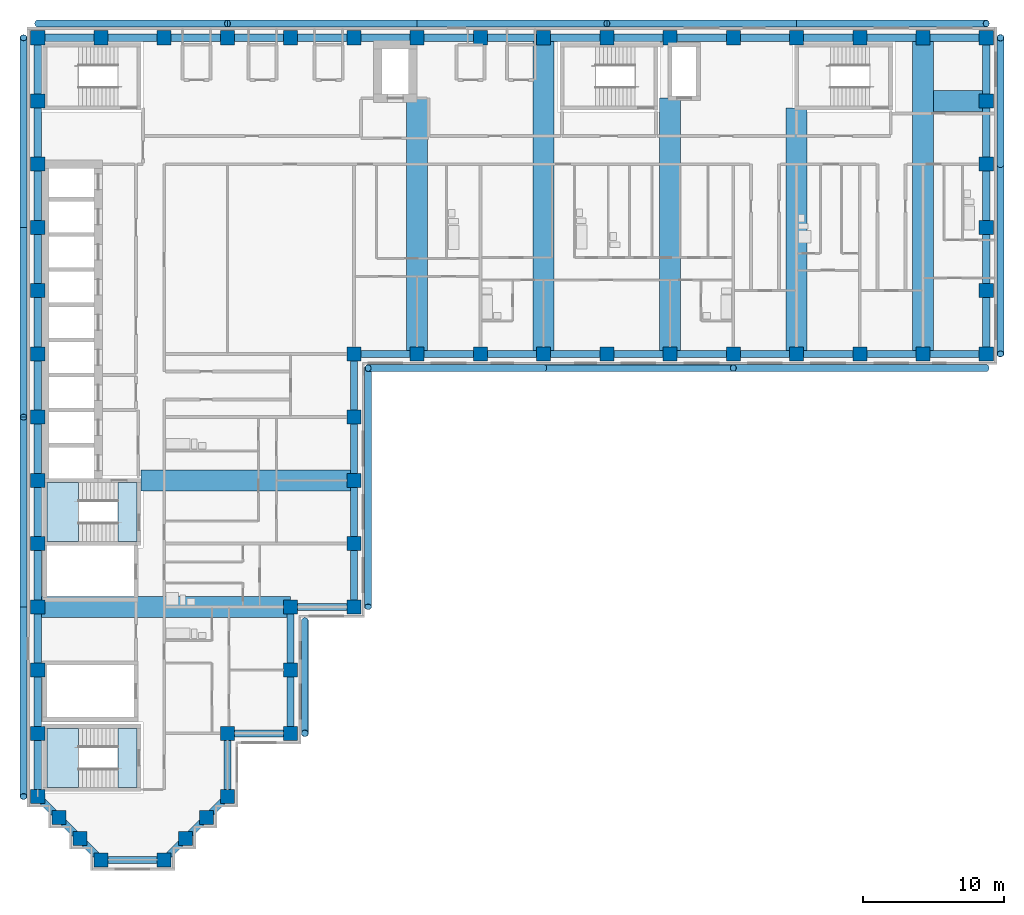
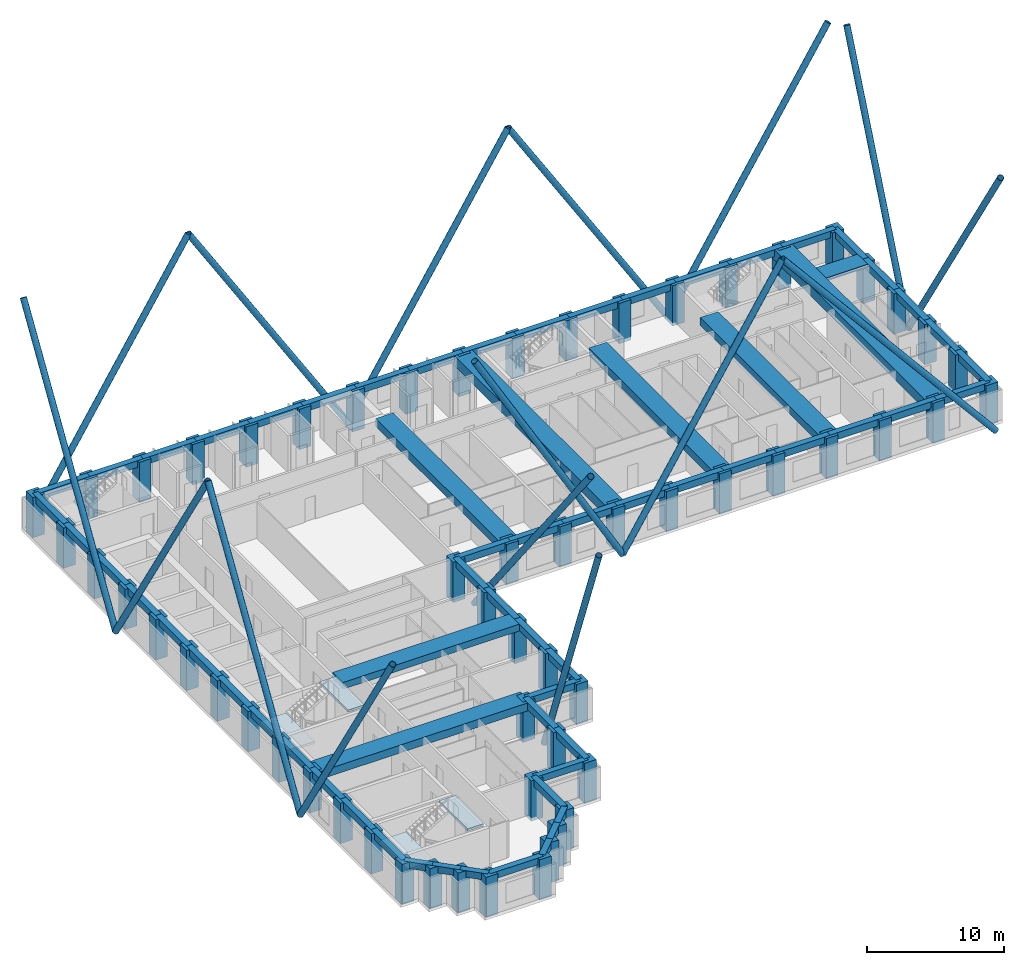
# One storey, part 1 of 13: 66 beams, 58 columns, 16 members, 4 slabs, 2 elements without a shape of their own.
"""IFC4 building model written with IfcOpenShell, lengths in metres."""

from ifc_helpers import new_model, si_unit, direction, frame, origin, origin_2d, place, context, subcontext, project, spatial, polyline, rectangle, hollow_circle, outline, extrude, material, layer, layer_set, material_profile, profile_set, type_object, element, aggregate, save


model = new_model("IFC4")

# Units and contexts
model_context = context("Model", 3, precision=1e-05, world=origin(), true_north=direction((0.0, 1.0)))
body_context = subcontext(model_context, "Body", "Model", "MODEL_VIEW")
ifc_project = project(units=[si_unit("LENGTHUNIT", "METRE"), si_unit("AREAUNIT", "SQUARE_METRE"), si_unit("VOLUMEUNIT", "CUBIC_METRE"), si_unit("PLANEANGLEUNIT", "RADIAN"), si_unit("MASSUNIT", "GRAM", prefix="KILO")], contexts=[model_context])

# Site, building, storey
site_placement = place(None, origin())
site = spatial("IfcSite", under=ifc_project, at=site_placement, CompositionType="ELEMENT")
building_placement = place(site_placement, origin())
building = spatial("IfcBuilding", under=site, at=building_placement, Name="Firuza Court", CompositionType="ELEMENT")
storey_placement = place(building_placement, frame((0.0, 0.0, 119.60009765625)))
storey = spatial("IfcBuildingStorey", under=building, at=storey_placement, Name="L29", CompositionType="ELEMENT", Elevation=119.60009765625)

# Columns
ifc_material_1 = material(Name="Concrete C60/75", Category="concrete")
ifc_material_profile_1 = material_profile(ifc_material_1, rectangle(XDim=1.0, YDim=1.0, at=origin_2d()), Name="RC 1000x1000")
ifc_profile_set_1 = profile_set([ifc_material_profile_1], Name="Concrete C60/75")
column_type = type_object("IfcColumnType", Name="Tube column RC 1000x1000 C60/75", PredefinedType="COLUMN", material=ifc_profile_set_1)
for number, where, z_axis, x_axis, name in (
    (1, (4.5, 0.0, -0.300048828125), (0.0, 0.0, 1.0), (1.0, 0.0, 0.0), "Column C-2D L29"),
    (2, (9.0, 0.0, -0.300048828125), (0.0, 0.0, 1.0), (1.0, 0.0, 0.0), "Column C-3D L29"),
    (3, (3.0, 1.5, -0.300048828125), (0.0, 0.0, 1.0), (1.0, 0.0, 0.0), "Column C-SA1 L29"),
    (4, (10.5, 1.5, -0.300048828125), (0.0, 0.0, 1.0), (1.0, 0.0, 0.0), "Column C-SA2 L29"),
    (5, (1.5, 3.0, -0.300048828125), (0.0, 0.0, 1.0), (1.0, 0.0, 0.0), "Column C-SA3 L29"),
    (6, (12.0, 3.0, -0.300048828125), (0.0, 0.0, 1.0), (1.0, 0.0, 0.0), "Column C-SA4 L29"),
    (7, (0.0, 4.5, -0.300048828125), (0.0, 0.0, 1.0), (1.0, 0.0, 0.0), "Column C-1E L29"),
    (8, (13.5, 4.5, -0.300048828125), (0.0, 0.0, 1.0), (1.0, 0.0, 0.0), "Column C-4E L29"),
    (9, (0.0, 9.0, -0.300048828125), (0.0, 0.0, 1.0), (1.0, 0.0, 0.0), "Column C-1F L29"),
    (10, (13.5, 9.0, -0.300048828125), (0.0, 0.0, 1.0), (1.0, 0.0, 0.0), "Column C-4F L29"),
    (11, (18.0, 9.0, -0.300048828125), (0.0, 0.0, 1.0), (1.0, 0.0, 0.0), "Column C-5F L29"),
    (12, (0.0, 13.5, -0.300048828125), (0.0, 0.0, 1.0), (1.0, 0.0, 0.0), "Column C-1G L29"),
    (13, (18.0, 13.5, -0.300048828125), (0.0, 0.0, 1.0), (1.0, 0.0, 0.0), "Column C-5G L29"),
    (14, (0.0, 18.0, -0.300048828125), (0.0, 0.0, 1.0), (1.0, 0.0, 0.0), "Column C-1H L29"),
    (15, (18.0, 18.0, -0.300048828125), (0.0, 0.0, 1.0), (1.0, 0.0, 0.0), "Column C-5H L29"),
    (16, (22.5, 18.0, -0.300048828125), (0.0, 0.0, 1.0), (1.0, 0.0, 0.0), "Column C-6H L29"),
    (17, (0.0, 22.5, -0.300048828125), (0.0, 0.0, 1.0), (1.0, 0.0, 0.0), "Column C-1J L29"),
    (18, (22.5, 22.5, -0.300048828125), (0.0, 0.0, 1.0), (1.0, 0.0, 0.0), "Column C-6J L29"),
    (19, (0.0, 27.0, -0.300048828125), (0.0, 0.0, 1.0), (1.0, 0.0, 0.0), "Column C-1K L29"),
    (20, (22.5, 27.0, -0.300048828125), (0.0, 0.0, 1.0), (1.0, 0.0, 0.0), "Column C-6K L29"),
    (21, (0.0, 31.5, -0.300048828125), (0.0, 0.0, 1.0), (1.0, 0.0, 0.0), "Column C-1L L29"),
    (22, (22.5, 31.5, -0.300048828125), (0.0, 0.0, 1.0), (1.0, 0.0, 0.0), "Column C-6L L29"),
    (23, (0.0, 36.0, -0.300048828125), (0.0, 0.0, 1.0), (1.0, 0.0, 0.0), "Column C-1M L29"),
    (24, (22.5, 36.0, -0.300048828125), (0.0, 0.0, 1.0), (1.0, 0.0, 0.0), "Column C-6M L29"),
    (25, (27.0, 36.0, -0.300048828125), (0.0, 0.0, 1.0), (1.0, 0.0, 0.0), "Column C-7M L29"),
    (26, (31.5, 36.0, -0.300048828125), (0.0, 0.0, 1.0), (1.0, 0.0, 0.0), "Column C-8M L29"),
    (27, (36.0, 36.0, -0.300048828125), (0.0, 0.0, 1.0), (1.0, 0.0, 0.0), "Column C-9M L29"),
    (28, (40.5, 36.0, -0.300048828125), (0.0, 0.0, 1.0), (1.0, 0.0, 0.0), "Column C-10M L29"),
    (29, (45.0, 36.0, -0.300048828125), (0.0, 0.0, 1.0), (1.0, 0.0, 0.0), "Column C-11M L29"),
    (30, (49.5, 36.0, -0.300048828125), (0.0, 0.0, 1.0), (1.0, 0.0, 0.0), "Column C-12M L29"),
    (31, (54.0, 36.0, -0.300048828125), (0.0, 0.0, 1.0), (1.0, 0.0, 0.0), "Column C-13M L29"),
    (32, (58.5, 36.0, -0.300048828125), (0.0, 0.0, 1.0), (1.0, 0.0, 0.0), "Column C-14M L29"),
    (33, (63.0, 36.0, -0.300048828125), (0.0, 0.0, 1.0), (1.0, 0.0, 0.0), "Column C-15M L29"),
    (34, (67.5, 36.0, -0.300048828125), (0.0, 0.0, 1.0), (1.0, 0.0, 0.0), "Column C-16M L29"),
    (35, (0.0, 40.5, -0.300048828125), (0.0, 0.0, 1.0), (1.0, 0.0, 0.0), "Column C-1N L29"),
    (36, (67.5, 40.5, -0.300048828125), (0.0, 0.0, 1.0), (1.0, 0.0, 0.0), "Column C-16N L29"),
    (37, (0.0, 45.0, -0.300048828125), (0.0, 0.0, 1.0), (1.0, 0.0, 0.0), "Column C-1P L29"),
    (38, (67.5, 45.0, -0.300048828125), (0.0, 0.0, 1.0), (1.0, 0.0, 0.0), "Column C-16P L29"),
    (39, (0.0, 49.5, -0.300048828125), (0.0, 0.0, 1.0), (1.0, 0.0, 0.0), "Column C-1Q L29"),
    (40, (67.5, 49.5, -0.300048828125), (0.0, 0.0, 1.0), (1.0, 0.0, 0.0), "Column C-16Q L29"),
    (41, (0.0, 54.0, -0.300048828125), (0.0, 0.0, 1.0), (1.0, 0.0, 0.0), "Column C-1R L29"),
    (42, (67.5, 54.0, -0.300048828125), (0.0, 0.0, 1.0), (1.0, 0.0, 0.0), "Column C-16R L29"),
    (43, (0.0, 58.5, -0.300048828125), (0.0, 0.0, 1.0), (1.0, 0.0, 0.0), "Column C-1S L29"),
    (44, (4.5, 58.5, -0.300048828125), (0.0, 0.0, 1.0), (1.0, 0.0, 0.0), "Column C-2S L29"),
    (45, (9.0, 58.5, -0.300048828125), (0.0, 0.0, 1.0), (1.0, 0.0, 0.0), "Column C-3S L29"),
    (46, (13.5, 58.5, -0.300048828125), (0.0, 0.0, 1.0), (1.0, 0.0, 0.0), "Column C-4S L29"),
    (47, (18.0, 58.5, -0.300048828125), (0.0, 0.0, 1.0), (1.0, 0.0, 0.0), "Column C-5S L29"),
    (48, (22.5, 58.5, -0.300048828125), (0.0, 0.0, 1.0), (1.0, 0.0, 0.0), "Column C-6S L29"),
    (49, (27.0, 58.5, -0.300048828125), (0.0, 0.0, 1.0), (1.0, 0.0, 0.0), "Column C-7S L29"),
    (50, (31.5, 58.5, -0.300048828125), (0.0, 0.0, 1.0), (1.0, 0.0, 0.0), "Column C-8S L29"),
    (51, (36.0, 58.5, -0.300048828125), (0.0, 0.0, 1.0), (1.0, 0.0, 0.0), "Column C-9S L29"),
    (52, (40.5, 58.5, -0.300048828125), (0.0, 0.0, 1.0), (1.0, 0.0, 0.0), "Column C-10S L29"),
    (53, (45.0, 58.5, -0.300048828125), (0.0, 0.0, 1.0), (1.0, 0.0, 0.0), "Column C-11S L29"),
    (54, (49.5, 58.5, -0.300048828125), (0.0, 0.0, 1.0), (1.0, 0.0, 0.0), "Column C-12S L29"),
    (55, (54.0, 58.5, -0.300048828125), (0.0, 0.0, 1.0), (1.0, 0.0, 0.0), "Column C-13S L29"),
    (56, (58.5, 58.5, -0.300048828125), (0.0, 0.0, 1.0), (1.0, 0.0, 0.0), "Column C-14S L29"),
    (57, (63.0, 58.5, -0.300048828125), (0.0, 0.0, 1.0), (1.0, 0.0, 0.0), "Column C-15S L29"),
    (58, (67.5, 58.5, -0.300048828125), (0.0, 0.0, 1.0), (1.0, 0.0, 0.0), "Column C-16S L29"),
):
    element("IfcColumn", number, at=place(storey_placement, frame(where, z_axis=z_axis, x_axis=x_axis)), inside=storey, type_object=column_type, Name=name, PredefinedType="COLUMN", context=body_context, shape_type="SweptSolid", body=[
        extrude(rectangle(XDim=1.0, YDim=1.0, at=origin_2d()), origin(), (0.0, 0.0, 1.0), 3.599853515625),
    ])

# Beams
ifc_material_2 = material(Name="Concrete C40/50", Category="concrete")
ifc_material_profile_2 = material_profile(ifc_material_2, rectangle(XDim=1.5, YDim=0.300048828125, at=origin_2d()), Name="RC 1500x300")
ifc_profile_set_2 = profile_set([ifc_material_profile_2], Name="Concrete C40/50")
beam_type_1 = type_object("IfcBeamType", Name="Band beam RC 1500x300 C40/50", PredefinedType="BEAM", material=ifc_profile_set_2)
beam_1_placement = place(storey_placement, frame((67.5, 54.0, 3.14990234375), z_axis=(-1.0, 0.0, 0.0), x_axis=(0.0, -1.0, 0.0)))
element("IfcBeam", 59, at=beam_1_placement, inside=storey, type_object=beam_type_1, Name="Band beam FB6 level L30", PredefinedType="BEAM", context=body_context, shape_type="SweptSolid", body=[
    extrude(rectangle(XDim=1.5, YDim=0.300048828125, at=origin_2d()), origin(), (0.0, 0.0, 1.0), 3.75),
])
ifc_material_3 = material(Name="Concrete C40/50", Category="concrete")
ifc_material_profile_3 = material_profile(ifc_material_3, rectangle(XDim=1.5, YDim=0.60009765625, at=origin_2d()), Name="RC 1500x600")
ifc_profile_set_3 = profile_set([ifc_material_profile_3], Name="Concrete C40/50")
beam_type_2 = type_object("IfcBeamType", Name="Band beam RC 1500x600 C40/50", PredefinedType="BEAM", material=ifc_profile_set_3)
beam_2_placement = place(storey_placement, frame((22.5, 27.0, 3.0), z_axis=(-1.0, 0.0, 0.0), x_axis=(0.0, -1.0, 0.0)))
element("IfcBeam", 60, at=beam_2_placement, inside=storey, type_object=beam_type_2, Name="Band beam FB3 level L30", PredefinedType="BEAM", context=body_context, shape_type="SweptSolid", body=[
    extrude(rectangle(XDim=1.5, YDim=0.60009765625, at=origin_2d()), origin(), (0.0, 0.0, 1.0), 15.14990234375),
])
ifc_material_4 = material(Name="Concrete C40/50", Category="concrete")
ifc_material_profile_4 = material_profile(ifc_material_4, rectangle(XDim=1.5, YDim=0.699951171875, at=origin_2d()), Name="RC 1500x700")
ifc_profile_set_4 = profile_set([ifc_material_profile_4], Name="Concrete C40/50")
beam_type_3 = type_object("IfcBeamType", Name="Band beam RC 1500x700 C40/50", PredefinedType="BEAM", material=ifc_profile_set_4)
beam_3_placement = place(storey_placement, frame((0.0, 18.0, 2.949951171875), z_axis=(1.0, 0.0, 0.0), x_axis=(0.0, 1.0, 0.0)))
element("IfcBeam", 61, at=beam_3_placement, inside=storey, type_object=beam_type_3, Name="Band beam FB1 level L30", PredefinedType="BEAM", context=body_context, shape_type="SweptSolid", body=[
    extrude(rectangle(XDim=1.5, YDim=0.699951171875, at=origin_2d()), origin(), (0.0, 0.0, 1.0), 18.0),
])
for number, where, z_axis, x_axis, name in (
    (62, (27.0, 36.0, 2.949951171875), (0.0, 1.0, 0.0), (-1.0, 0.0, 0.0), "Band beam FB1 level L30"),
    (63, (45.0, 36.0, 2.949951171875), (0.0, 1.0, 0.0), (-1.0, 0.0, 0.0), "Band beam FB1 level L30"),
):
    element("IfcBeam", number, at=place(storey_placement, frame(where, z_axis=z_axis, x_axis=x_axis)), inside=storey, type_object=beam_type_3, Name=name, PredefinedType="BEAM", context=body_context, shape_type="SweptSolid", body=[
        extrude(rectangle(XDim=1.5, YDim=0.699951171875, at=origin_2d()), origin(), (0.0, 0.0, 1.0), 18.199951171875),
    ])
beam_4_placement = place(storey_placement, frame((54.0, 36.0, 2.949951171875), z_axis=(0.0, 1.0, 0.0), x_axis=(-1.0, 0.0, 0.0)))
element("IfcBeam", 64, at=beam_4_placement, inside=storey, type_object=beam_type_3, Name="Band beam FB1 level L30", PredefinedType="BEAM", context=body_context, shape_type="SweptSolid", body=[
    extrude(rectangle(XDim=1.5, YDim=0.699951171875, at=origin_2d()), origin(), (0.0, 0.0, 1.0), 17.5),
])
ifc_material_5 = material(Name="Concrete C40/50", Category="concrete")
ifc_material_profile_5 = material_profile(ifc_material_5, rectangle(XDim=1.5, YDim=0.89990234375, at=origin_2d()), Name="RC 1500x900")
ifc_profile_set_5 = profile_set([ifc_material_profile_5], Name="Concrete C40/50")
beam_type_4 = type_object("IfcBeamType", Name="Band beam RC 1500x900 C40/50", PredefinedType="BEAM", material=ifc_profile_set_5)
for number, where, z_axis, x_axis, name in (
    (65, (36.0, 36.0, 2.849853515625), (0.0, 1.0, 0.0), (-1.0, 0.0, 0.0), "Band beam FB2 level L30"),
    (66, (63.0, 36.0, 2.849853515625), (0.0, 1.0, 0.0), (-1.0, 0.0, 0.0), "Band beam FB2 level L30"),
):
    element("IfcBeam", number, at=place(storey_placement, frame(where, z_axis=z_axis, x_axis=x_axis)), inside=storey, type_object=beam_type_4, Name=name, PredefinedType="BEAM", context=body_context, shape_type="SweptSolid", body=[
        extrude(rectangle(XDim=1.5, YDim=0.89990234375, at=origin_2d()), origin(), (0.0, 0.0, 1.0), 22.5),
    ])

# Members
ifc_material_6 = material(Name="Steel S355", Category="steel")
ifc_material_profile_6 = material_profile(ifc_material_6, hollow_circle(Radius=0.25390625, WallThickness=0.02001953125, at=origin_2d()), Name="CHS 508x20")
ifc_profile_set_6 = profile_set([ifc_material_profile_6], Name="Steel S355")
member_type = type_object("IfcMemberType", Name="Diagrid diagonal CHS 508x20 S355", PredefinedType="USERDEFINED", material=ifc_profile_set_6)
member_1_placement = place(storey_placement, frame((19.009033203125, 16.990966796875, -0.550048828125), z_axis=(0.0, -0.346971491416, 0.937875676273), x_axis=(1.0, 0.0, 0.0)))
element("IfcMember", 67, at=member_1_placement, inside=storey, type_object=member_type, Name="Diagrid diagonal L29 to L35", ObjectType="DIAGRID", PredefinedType="USERDEFINED", context=body_context, shape_type="SweptSolid", body=[
    extrude(hollow_circle(Radius=0.25390625, WallThickness=0.02001953125, at=origin_2d()), origin(), (0.0, 0.0, 1.0), 23.030517578125),
])
member_2_placement = place(storey_placement, frame((23.509033203125, 34.990966796875, -0.550048828125), z_axis=(0.0, -0.618263623305, 0.785970795957), x_axis=(1.0, 0.0, 0.0)))
element("IfcMember", 68, at=member_2_placement, inside=storey, type_object=member_type, Name="Diagrid diagonal L29 to L35", ObjectType="DIAGRID", PredefinedType="USERDEFINED", context=body_context, shape_type="SweptSolid", body=[
    extrude(hollow_circle(Radius=0.25390625, WallThickness=0.02001953125, at=origin_2d()), origin(), (0.0, 0.0, 1.0), 27.481689453125),
])
member_3_placement = place(storey_placement, frame((36.0, 34.990966796875, -0.550048828125), z_axis=(-0.500609625358, 0.0, 0.865673150212), x_axis=(0.0, -1.0, 0.0)))
element("IfcMember", 69, at=member_3_placement, inside=storey, type_object=member_type, Name="Diagrid diagonal L29 to L35", ObjectType="DIAGRID", PredefinedType="USERDEFINED", context=body_context, shape_type="SweptSolid", body=[
    extrude(hollow_circle(Radius=0.25390625, WallThickness=0.02001953125, at=origin_2d()), origin(), (0.0, 0.0, 1.0), 24.951416015625),
])
member_4_placement = place(storey_placement, frame((36.0, 34.990966796875, -0.550048828125), z_axis=(0.530001524668, 0.0, 0.847996688584), x_axis=(0.0, 1.0, 0.0)))
element("IfcMember", 70, at=member_4_placement, inside=storey, type_object=member_type, Name="Diagrid diagonal L29 to L35", ObjectType="DIAGRID", PredefinedType="USERDEFINED", context=body_context, shape_type="SweptSolid", body=[
    extrude(hollow_circle(Radius=0.25390625, WallThickness=0.02001953125, at=origin_2d()), origin(), (0.0, 0.0, 1.0), 25.4716796875),
])
member_5_placement = place(storey_placement, frame((67.5, 34.990966796875, -0.550048828125), z_axis=(-0.640186961885, 0.0, 0.768219144407), x_axis=(0.0, -1.0, 0.0)))
element("IfcMember", 71, at=member_5_placement, inside=storey, type_object=member_type, Name="Diagrid diagonal L29 to L35", ObjectType="DIAGRID", PredefinedType="USERDEFINED", context=body_context, shape_type="SweptSolid", body=[
    extrude(hollow_circle(Radius=0.25390625, WallThickness=0.02001953125, at=origin_2d()), origin(), (0.0, 0.0, 1.0), 28.11669921875),
])
member_6_placement = place(storey_placement, frame((68.509033203125, 49.5, -0.550048828125), z_axis=(0.0, -0.530001524668, 0.847996688584), x_axis=(1.0, 0.0, 0.0)))
element("IfcMember", 72, at=member_6_placement, inside=storey, type_object=member_type, Name="Diagrid diagonal L29 to L35", ObjectType="DIAGRID", PredefinedType="USERDEFINED", context=body_context, shape_type="SweptSolid", body=[
    extrude(hollow_circle(Radius=0.25390625, WallThickness=0.02001953125, at=origin_2d()), origin(), (0.0, 0.0, 1.0), 25.4716796875),
])
member_7_placement = place(storey_placement, frame((68.509033203125, 49.5, -0.550048828125), z_axis=(0.0, 0.384617607118, 0.923075997031), x_axis=(-1.0, 0.0, 0.0)))
element("IfcMember", 73, at=member_7_placement, inside=storey, type_object=member_type, Name="Diagrid diagonal L29 to L35", ObjectType="DIAGRID", PredefinedType="USERDEFINED", context=body_context, shape_type="SweptSolid", body=[
    extrude(hollow_circle(Radius=0.25390625, WallThickness=0.02001953125, at=origin_2d()), origin(), (0.0, 0.0, 1.0), 23.39990234375),
])
for number, where, z_axis, x_axis, name in (
    (74, (54.0, 59.509033203125, -0.550048828125), (0.530001524668, 0.0, 0.847996688584), (0.0, 1.0, 0.0), "Diagrid diagonal L29 to L35"),
    (75, (54.0, 59.509033203125, -0.550048828125), (-0.530001524668, 0.0, 0.847996688584), (0.0, -1.0, 0.0), "Diagrid diagonal L29 to L35"),
    (76, (27.0, 59.509033203125, -0.550048828125), (0.530001524668, 0.0, 0.847996688584), (0.0, 1.0, 0.0), "Diagrid diagonal L29 to L35"),
    (77, (27.0, 59.509033203125, -0.550048828125), (-0.530001524668, 0.0, 0.847996688584), (0.0, -1.0, 0.0), "Diagrid diagonal L29 to L35"),
    (78, (0.0, 59.509033203125, -0.550048828125), (0.530001524668, 0.0, 0.847996688584), (0.0, 1.0, 0.0), "Diagrid diagonal L29 to L35"),
    (79, (-1.009033203125, 45.0, -0.550048828125), (0.0, 0.530001524668, 0.847996688584), (-1.0, 0.0, 0.0), "Diagrid diagonal L29 to L35"),
    (80, (-1.009033203125, 45.0, -0.550048828125), (0.0, -0.530001524668, 0.847996688584), (1.0, 0.0, 0.0), "Diagrid diagonal L29 to L35"),
    (81, (-1.009033203125, 18.0, -0.550048828125), (0.0, 0.530001524668, 0.847996688584), (-1.0, 0.0, 0.0), "Diagrid diagonal L29 to L35"),
    (82, (-1.009033203125, 18.0, -0.550048828125), (0.0, -0.530001524668, 0.847996688584), (1.0, 0.0, 0.0), "Diagrid diagonal L29 to L35"),
):
    element("IfcMember", number, at=place(storey_placement, frame(where, z_axis=z_axis, x_axis=x_axis)), inside=storey, type_object=member_type, Name=name, ObjectType="DIAGRID", PredefinedType="USERDEFINED", context=body_context, shape_type="SweptSolid", body=[
        extrude(hollow_circle(Radius=0.25390625, WallThickness=0.02001953125, at=origin_2d()), origin(), (0.0, 0.0, 1.0), 25.4716796875),
    ])

# Beams
ifc_material_7 = material(Name="Concrete C40/50", Category="concrete")
ifc_material_profile_7 = material_profile(ifc_material_7, rectangle(XDim=0.5, YDim=0.60009765625, at=origin_2d()), Name="RC 500x600")
ifc_profile_set_7 = profile_set([ifc_material_profile_7], Name="Concrete C40/50")
beam_type_5 = type_object("IfcBeamType", Name="Spandrel beam RC 500x600 C40/50", PredefinedType="BEAM", material=ifc_profile_set_7)
beam_5_placement = place(storey_placement, frame((0.0, 4.5, 3.0), z_axis=(0.707106781187, -0.707106781187, 0.0), x_axis=(0.707106781187, 0.707106781187, 0.0)))
element("IfcBeam", 83, at=beam_5_placement, inside=storey, type_object=beam_type_5, Name="Spandrel beam SP13 level L30", PredefinedType="BEAM", context=body_context, shape_type="SweptSolid", body=[
    extrude(rectangle(XDim=0.5, YDim=0.60009765625, at=origin_2d()), origin(), (0.0, 0.0, 1.0), 2.121337890625),
])
for number, where, z_axis, x_axis, name in (
    (84, (0.0, 9.0, 3.0), (0.0, -1.0, 0.0), (1.0, 0.0, 0.0), "Spandrel beam SP13 level L30"),
    (85, (0.0, 13.5, 3.0), (0.0, -1.0, 0.0), (1.0, 0.0, 0.0), "Spandrel beam SP13 level L30"),
    (86, (0.0, 18.0, 3.0), (0.0, -1.0, 0.0), (1.0, 0.0, 0.0), "Spandrel beam SP13 level L30"),
    (87, (0.0, 22.5, 3.0), (0.0, -1.0, 0.0), (1.0, 0.0, 0.0), "Spandrel beam SP13 level L30"),
    (88, (0.0, 27.0, 3.0), (0.0, -1.0, 0.0), (1.0, 0.0, 0.0), "Spandrel beam SP13 level L30"),
    (89, (0.0, 31.5, 3.0), (0.0, -1.0, 0.0), (1.0, 0.0, 0.0), "Spandrel beam SP13 level L30"),
    (90, (0.0, 36.0, 3.0), (0.0, -1.0, 0.0), (1.0, 0.0, 0.0), "Spandrel beam SP13 level L30"),
    (91, (0.0, 40.5, 3.0), (0.0, -1.0, 0.0), (1.0, 0.0, 0.0), "Spandrel beam SP13 level L30"),
    (92, (0.0, 45.0, 3.0), (0.0, -1.0, 0.0), (1.0, 0.0, 0.0), "Spandrel beam SP13 level L30"),
    (93, (0.0, 49.5, 3.0), (0.0, -1.0, 0.0), (1.0, 0.0, 0.0), "Spandrel beam SP13 level L30"),
    (94, (0.0, 54.0, 3.0), (0.0, -1.0, 0.0), (1.0, 0.0, 0.0), "Spandrel beam SP13 level L30"),
    (95, (0.0, 58.5, 3.0), (0.0, -1.0, 0.0), (1.0, 0.0, 0.0), "Spandrel beam SP13 level L30"),
):
    element("IfcBeam", number, at=place(storey_placement, frame(where, z_axis=z_axis, x_axis=x_axis)), inside=storey, type_object=beam_type_5, Name=name, PredefinedType="BEAM", context=body_context, shape_type="SweptSolid", body=[
        extrude(rectangle(XDim=0.5, YDim=0.60009765625, at=origin_2d()), origin(), (0.0, 0.0, 1.0), 4.5),
    ])
for number, where, z_axis, x_axis, name in (
    (96, (1.5, 3.0, 3.0), (0.707106781187, -0.707106781187, 0.0), (0.707106781187, 0.707106781187, 0.0), "Spandrel beam SP13 level L30"),
    (97, (3.0, 1.5, 3.0), (0.707106781187, -0.707106781187, 0.0), (0.707106781187, 0.707106781187, 0.0), "Spandrel beam SP13 level L30"),
):
    element("IfcBeam", number, at=place(storey_placement, frame(where, z_axis=z_axis, x_axis=x_axis)), inside=storey, type_object=beam_type_5, Name=name, PredefinedType="BEAM", context=body_context, shape_type="SweptSolid", body=[
        extrude(rectangle(XDim=0.5, YDim=0.60009765625, at=origin_2d()), origin(), (0.0, 0.0, 1.0), 2.121337890625),
    ])
for number, where, z_axis, x_axis, name in (
    (98, (4.5, 0.0, 3.0), (1.0, 0.0, 0.0), (0.0, 1.0, 0.0), "Spandrel beam SP13 level L30"),
    (99, (4.5, 58.5, 3.0), (-1.0, 0.0, 0.0), (0.0, -1.0, 0.0), "Spandrel beam SP13 level L30"),
):
    element("IfcBeam", number, at=place(storey_placement, frame(where, z_axis=z_axis, x_axis=x_axis)), inside=storey, type_object=beam_type_5, Name=name, PredefinedType="BEAM", context=body_context, shape_type="SweptSolid", body=[
        extrude(rectangle(XDim=0.5, YDim=0.60009765625, at=origin_2d()), origin(), (0.0, 0.0, 1.0), 4.5),
    ])
beam_6_placement = place(storey_placement, frame((9.0, 0.0, 3.0), z_axis=(0.707106781187, 0.707106781187, 0.0), x_axis=(-0.707106781187, 0.707106781187, 0.0)))
element("IfcBeam", 100, at=beam_6_placement, inside=storey, type_object=beam_type_5, Name="Spandrel beam SP13 level L30", PredefinedType="BEAM", context=body_context, shape_type="SweptSolid", body=[
    extrude(rectangle(XDim=0.5, YDim=0.60009765625, at=origin_2d()), origin(), (0.0, 0.0, 1.0), 2.121337890625),
])
beam_7_placement = place(storey_placement, frame((9.0, 58.5, 3.0), z_axis=(-1.0, 0.0, 0.0), x_axis=(0.0, -1.0, 0.0)))
element("IfcBeam", 101, at=beam_7_placement, inside=storey, type_object=beam_type_5, Name="Spandrel beam SP13 level L30", PredefinedType="BEAM", context=body_context, shape_type="SweptSolid", body=[
    extrude(rectangle(XDim=0.5, YDim=0.60009765625, at=origin_2d()), origin(), (0.0, 0.0, 1.0), 4.5),
])
for number, where, z_axis, x_axis, name in (
    (102, (10.5, 1.5, 3.0), (0.707106781187, 0.707106781187, 0.0), (-0.707106781187, 0.707106781187, 0.0), "Spandrel beam SP13 level L30"),
    (103, (12.0, 3.0, 3.0), (0.707106781187, 0.707106781187, 0.0), (-0.707106781187, 0.707106781187, 0.0), "Spandrel beam SP13 level L30"),
):
    element("IfcBeam", number, at=place(storey_placement, frame(where, z_axis=z_axis, x_axis=x_axis)), inside=storey, type_object=beam_type_5, Name=name, PredefinedType="BEAM", context=body_context, shape_type="SweptSolid", body=[
        extrude(rectangle(XDim=0.5, YDim=0.60009765625, at=origin_2d()), origin(), (0.0, 0.0, 1.0), 2.121337890625),
    ])
for number, where, z_axis, x_axis, name in (
    (104, (13.5, 4.5, 3.0), (0.0, 1.0, 0.0), (-1.0, 0.0, 0.0), "Spandrel beam SP13 level L30"),
    (105, (13.5, 9.0, 3.0), (1.0, 0.0, 0.0), (0.0, 1.0, 0.0), "Spandrel beam SP13 level L30"),
    (106, (13.5, 58.5, 3.0), (-1.0, 0.0, 0.0), (0.0, -1.0, 0.0), "Spandrel beam SP13 level L30"),
    (107, (18.0, 9.0, 3.0), (0.0, 1.0, 0.0), (-1.0, 0.0, 0.0), "Spandrel beam SP13 level L30"),
    (108, (18.0, 13.5, 3.0), (0.0, 1.0, 0.0), (-1.0, 0.0, 0.0), "Spandrel beam SP13 level L30"),
    (109, (18.0, 18.0, 3.0), (1.0, 0.0, 0.0), (0.0, 1.0, 0.0), "Spandrel beam SP13 level L30"),
    (110, (18.0, 58.5, 3.0), (-1.0, 0.0, 0.0), (0.0, -1.0, 0.0), "Spandrel beam SP13 level L30"),
    (111, (22.5, 18.0, 3.0), (0.0, 1.0, 0.0), (-1.0, 0.0, 0.0), "Spandrel beam SP13 level L30"),
    (112, (22.5, 22.5, 3.0), (0.0, 1.0, 0.0), (-1.0, 0.0, 0.0), "Spandrel beam SP13 level L30"),
    (113, (22.5, 27.0, 3.0), (0.0, 1.0, 0.0), (-1.0, 0.0, 0.0), "Spandrel beam SP13 level L30"),
    (114, (22.5, 31.5, 3.0), (0.0, 1.0, 0.0), (-1.0, 0.0, 0.0), "Spandrel beam SP13 level L30"),
    (115, (22.5, 36.0, 3.0), (1.0, 0.0, 0.0), (0.0, 1.0, 0.0), "Spandrel beam SP13 level L30"),
    (116, (22.5, 58.5, 3.0), (-1.0, 0.0, 0.0), (0.0, -1.0, 0.0), "Spandrel beam SP13 level L30"),
    (117, (27.0, 36.0, 3.0), (1.0, 0.0, 0.0), (0.0, 1.0, 0.0), "Spandrel beam SP13 level L30"),
    (118, (27.0, 58.5, 3.0), (-1.0, 0.0, 0.0), (0.0, -1.0, 0.0), "Spandrel beam SP13 level L30"),
    (119, (31.5, 36.0, 3.0), (1.0, 0.0, 0.0), (0.0, 1.0, 0.0), "Spandrel beam SP13 level L30"),
    (120, (31.5, 58.5, 3.0), (-1.0, 0.0, 0.0), (0.0, -1.0, 0.0), "Spandrel beam SP13 level L30"),
    (121, (36.0, 36.0, 3.0), (1.0, 0.0, 0.0), (0.0, 1.0, 0.0), "Spandrel beam SP13 level L30"),
    (122, (36.0, 58.5, 3.0), (-1.0, 0.0, 0.0), (0.0, -1.0, 0.0), "Spandrel beam SP13 level L30"),
    (123, (40.5, 36.0, 3.0), (1.0, 0.0, 0.0), (0.0, 1.0, 0.0), "Spandrel beam SP13 level L30"),
    (124, (40.5, 58.5, 3.0), (-1.0, 0.0, 0.0), (0.0, -1.0, 0.0), "Spandrel beam SP13 level L30"),
    (125, (45.0, 36.0, 3.0), (1.0, 0.0, 0.0), (0.0, 1.0, 0.0), "Spandrel beam SP13 level L30"),
    (126, (45.0, 58.5, 3.0), (-1.0, 0.0, 0.0), (0.0, -1.0, 0.0), "Spandrel beam SP13 level L30"),
    (127, (49.5, 36.0, 3.0), (1.0, 0.0, 0.0), (0.0, 1.0, 0.0), "Spandrel beam SP13 level L30"),
    (128, (49.5, 58.5, 3.0), (-1.0, 0.0, 0.0), (0.0, -1.0, 0.0), "Spandrel beam SP13 level L30"),
    (129, (54.0, 36.0, 3.0), (1.0, 0.0, 0.0), (0.0, 1.0, 0.0), "Spandrel beam SP13 level L30"),
    (130, (54.0, 58.5, 3.0), (-1.0, 0.0, 0.0), (0.0, -1.0, 0.0), "Spandrel beam SP13 level L30"),
    (131, (58.5, 36.0, 3.0), (1.0, 0.0, 0.0), (0.0, 1.0, 0.0), "Spandrel beam SP13 level L30"),
    (132, (58.5, 58.5, 3.0), (-1.0, 0.0, 0.0), (0.0, -1.0, 0.0), "Spandrel beam SP13 level L30"),
    (133, (63.0, 36.0, 3.0), (1.0, 0.0, 0.0), (0.0, 1.0, 0.0), "Spandrel beam SP13 level L30"),
    (134, (63.0, 58.5, 3.0), (-1.0, 0.0, 0.0), (0.0, -1.0, 0.0), "Spandrel beam SP13 level L30"),
    (135, (67.5, 36.0, 3.0), (0.0, 1.0, 0.0), (-1.0, 0.0, 0.0), "Spandrel beam SP13 level L30"),
    (136, (67.5, 40.5, 3.0), (0.0, 1.0, 0.0), (-1.0, 0.0, 0.0), "Spandrel beam SP13 level L30"),
    (137, (67.5, 45.0, 3.0), (0.0, 1.0, 0.0), (-1.0, 0.0, 0.0), "Spandrel beam SP13 level L30"),
    (138, (67.5, 49.5, 3.0), (0.0, 1.0, 0.0), (-1.0, 0.0, 0.0), "Spandrel beam SP13 level L30"),
    (139, (67.5, 54.0, 3.0), (0.0, 1.0, 0.0), (-1.0, 0.0, 0.0), "Spandrel beam SP13 level L30"),
    (140, (67.5, 58.5, 3.0), (-1.0, 0.0, 0.0), (0.0, -1.0, 0.0), "Spandrel beam SP13 level L30"),
):
    element("IfcBeam", number, at=place(storey_placement, frame(where, z_axis=z_axis, x_axis=x_axis)), inside=storey, type_object=beam_type_5, Name=name, PredefinedType="BEAM", context=body_context, shape_type="SweptSolid", body=[
        extrude(rectangle(XDim=0.5, YDim=0.60009765625, at=origin_2d()), origin(), (0.0, 0.0, 1.0), 4.5),
    ])

# Stair, slabs
ifc_material_8 = material(Name="Concrete C40/50 precast", Category="concrete")
stair_type = type_object("IfcStairType", Name="Stair 1350 x 3600 2 flights", PredefinedType="HALF_TURN_STAIR", material=ifc_material_8)
stair_1_placement = place(storey_placement, origin())
stair_1 = element("IfcStair", 141, at=stair_1_placement, inside=storey, type_object=stair_type, Name="Stair 2 L29", PredefinedType="HALF_TURN_STAIR")
ifc_material_9 = material(Name="Concrete C40/50 precast", Category="concrete")
ifc_layer = layer(ifc_material_9, 0.199951171875)
ifc_layer_set = layer_set([ifc_layer], Name="Concrete C40/50 precast")
slab_type = type_object("IfcSlabType", Name="Stair landing 200", PredefinedType="LANDING", material=ifc_layer_set)
slab_1_placement = place(storey_placement, frame((0.0, 0.0, 1.599853515625)))
slab_1 = element("IfcSlab", 142, at=slab_1_placement, type_object=slab_type, Name="S2 landing 1", PredefinedType="LANDING", context=body_context, shape_type="SweptSolid", body=[
    extrude(outline(polyline([(2.89990234375, 22.64990234375), (2.89990234375, 26.85009765625), (0.64990234375, 26.85009765625), (0.64990234375, 22.64990234375), (2.89990234375, 22.64990234375)])), origin(), (0.0, 0.0, 1.0), 0.199951171875),
])
slab_2_placement = place(storey_placement, frame((0.0, 0.0, 3.39990234375)))
slab_2 = element("IfcSlab", 143, at=slab_2_placement, type_object=slab_type, Name="S2 landing 2", PredefinedType="LANDING", context=body_context, shape_type="SweptSolid", body=[
    extrude(outline(polyline([(7.050048828125, 22.64990234375), (7.050048828125, 26.85009765625), (5.699951171875, 26.85009765625), (5.699951171875, 22.64990234375), (7.050048828125, 22.64990234375)])), origin(), (0.0, 0.0, 1.0), 0.199951171875),
])
aggregate(stair_1, [slab_1, slab_2])

stair_2_placement = place(storey_placement, origin())
stair_2 = element("IfcStair", 144, at=stair_2_placement, inside=storey, type_object=stair_type, Name="Stair 5 L29", PredefinedType="HALF_TURN_STAIR")
slab_3_placement = place(storey_placement, frame((0.0, 0.0, 1.599853515625)))
slab_3 = element("IfcSlab", 145, at=slab_3_placement, type_object=slab_type, Name="S5 landing 1", PredefinedType="LANDING", context=body_context, shape_type="SweptSolid", body=[
    extrude(outline(polyline([(2.89990234375, 5.14990234375), (2.89990234375, 9.35009765625), (0.64990234375, 9.35009765625), (0.64990234375, 5.14990234375), (2.89990234375, 5.14990234375)])), origin(), (0.0, 0.0, 1.0), 0.199951171875),
])
slab_4_placement = place(storey_placement, frame((0.0, 0.0, 3.39990234375)))
slab_4 = element("IfcSlab", 146, at=slab_4_placement, type_object=slab_type, Name="S5 landing 2", PredefinedType="LANDING", context=body_context, shape_type="SweptSolid", body=[
    extrude(outline(polyline([(7.050048828125, 5.14990234375), (7.050048828125, 9.35009765625), (5.699951171875, 9.35009765625), (5.699951171875, 5.14990234375), (7.050048828125, 5.14990234375)])), origin(), (0.0, 0.0, 1.0), 0.199951171875),
])
aggregate(stair_2, [slab_3, slab_4])

save(model, "model.ifc")
